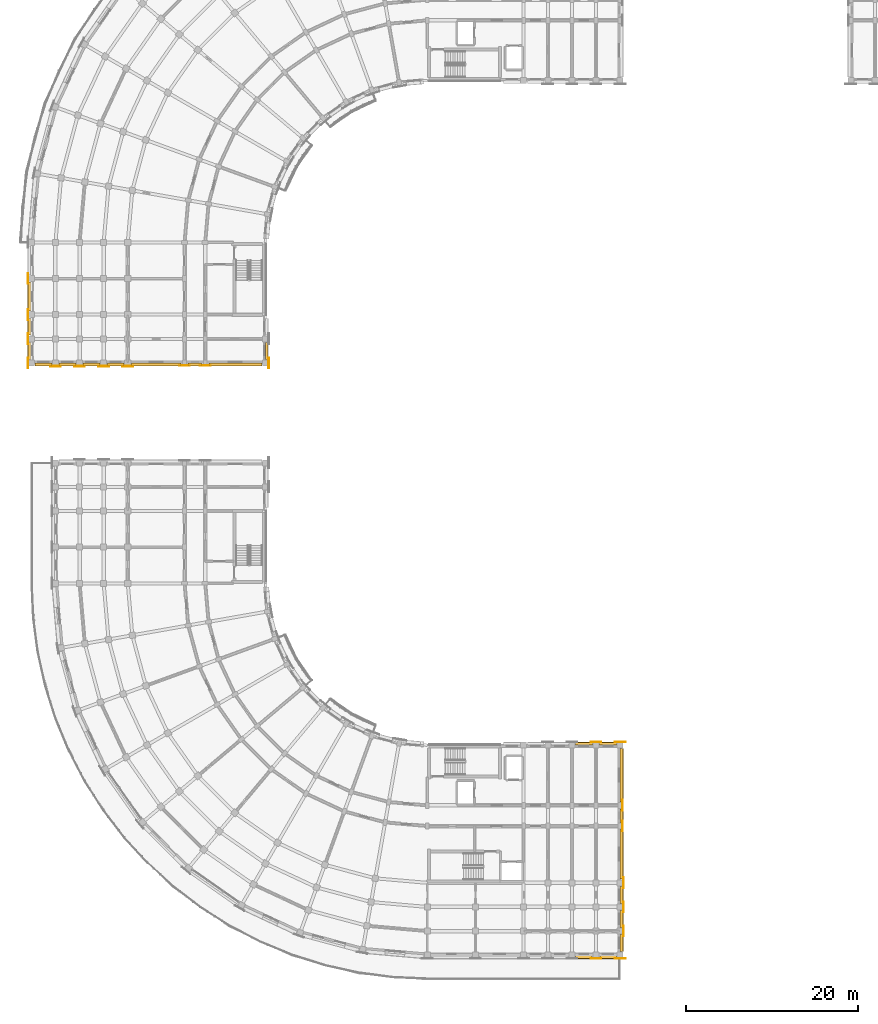
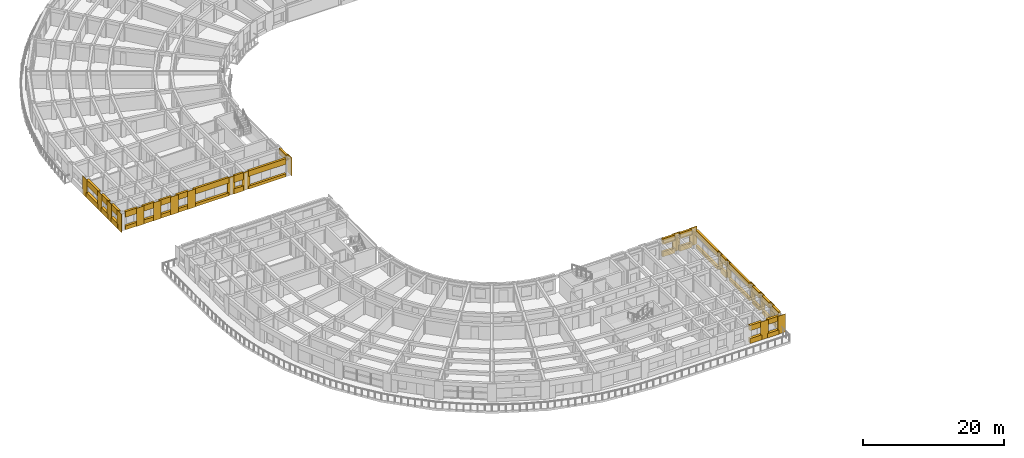
# One storey, part 45 of 57: 61 coverings.
"""IFC4 building model written with IfcOpenShell, lengths in metres."""

from ifc_helpers import new_model, si_unit, direction, frame, origin, place, context, subcontext, project, spatial, polyline, outline, extrude, material, layer, layer_set, type_object, element, save


model = new_model("IFC4")

# Units and contexts
model_context = context("Model", 3, precision=1e-05, world=origin(), true_north=direction((0.0, 1.0)))
body_context = subcontext(model_context, "Body", "Model", "MODEL_VIEW")
ifc_project = project(units=[si_unit("LENGTHUNIT", "METRE"), si_unit("AREAUNIT", "SQUARE_METRE"), si_unit("VOLUMEUNIT", "CUBIC_METRE"), si_unit("PLANEANGLEUNIT", "RADIAN"), si_unit("MASSUNIT", "GRAM", prefix="KILO")], contexts=[model_context])

# Site, building, storey
site_placement = place(None, origin())
site = spatial("IfcSite", under=ifc_project, at=site_placement, CompositionType="ELEMENT")
building_placement = place(site_placement, origin())
building = spatial("IfcBuilding", under=site, at=building_placement, Name="Kiranvali Square Residences", CompositionType="ELEMENT")
storey_placement = place(building_placement, frame((0.0, 0.0, 21.300048828125)))
storey = spatial("IfcBuildingStorey", under=building, at=storey_placement, Name="L06", CompositionType="ELEMENT", Elevation=21.300048828125)

# Coverings
ifc_material = material(Name="Honed Porbandar limestone ashlar facade cladding", Category="masonry")
ifc_layer_1 = layer(ifc_material, 0.06494140625)
ifc_layer_set_1 = layer_set([ifc_layer_1], Name="Honed Porbandar limestone ashlar facade cladding")
covering_type_1 = type_object("IfcCoveringType", Name="COV-CLAD-PIER", PredefinedType="CLADDING", material=ifc_layer_set_1)
covering_1_placement = place(storey_placement, frame((0.0, 0.0, 0.0048828125)))
element("IfcCovering", 1, at=covering_1_placement, inside=storey, type_object=covering_type_1, Name="L06 Classical limestone pilaster casing CLAD-PR-A-L06-V42", PredefinedType="CLADDING", context=body_context, shape_type="SweptSolid", body=[
    extrude(outline(polyline([(1.781982421875, 84.22998046875), (1.781982421875, 82.969970703125), (1.849609375, 82.969970703125), (1.849609375, 84.22998046875), (1.781982421875, 84.22998046875)])), origin(), (0.0, 0.0, 1.0), 3.14013671875),
])
covering_2_placement = place(storey_placement, frame((0.0, 0.0, 0.0048828125)))
element("IfcCovering", 2, at=covering_2_placement, inside=storey, type_object=covering_type_1, Name="L06 Classical limestone pilaster casing CLAD-PR-A-L06-V84", PredefinedType="CLADDING", context=body_context, shape_type="SweptSolid", body=[
    extrude(outline(polyline([(1.781982421875, 80.030029296875), (1.781982421875, 78.77001953125), (1.849609375, 78.77001953125), (1.849609375, 80.030029296875), (1.781982421875, 80.030029296875)])), origin(), (0.0, 0.0, 1.0), 3.14013671875),
])
covering_3_placement = place(storey_placement, frame((0.0, 0.0, 0.0048828125)))
element("IfcCovering", 3, at=covering_3_placement, inside=storey, type_object=covering_type_1, Name="L06 Classical limestone pilaster casing CLAD-PR-A-L06-V112", PredefinedType="CLADDING", context=body_context, shape_type="SweptSolid", body=[
    extrude(outline(polyline([(1.781982421875, 77.22998046875), (1.781982421875, 75.969970703125), (1.849609375, 75.969970703125), (1.849609375, 77.22998046875), (1.781982421875, 77.22998046875)])), origin(), (0.0, 0.0, 1.0), 3.14013671875),
])
covering_4_placement = place(storey_placement, frame((0.0, 0.0, 0.0048828125)))
element("IfcCovering", 4, at=covering_4_placement, inside=storey, type_object=covering_type_1, Name="L06 Classical limestone pilaster casing CLAD-PR-A-L06-V140", PredefinedType="CLADDING", context=body_context, shape_type="SweptSolid", body=[
    extrude(outline(polyline([(1.781982421875, 74.429931640625), (1.781982421875, 73.169921875), (1.849609375, 73.169921875), (1.849609375, 74.429931640625), (1.781982421875, 74.429931640625)])), origin(), (0.0, 0.0, 1.0), 3.14013671875),
])
covering_5_placement = place(storey_placement, frame((0.0, 0.0, 0.0048828125)))
element("IfcCovering", 5, at=covering_5_placement, inside=storey, type_object=covering_type_1, Name="L06 Classical limestone pilaster casing CLAD-PR-C-L06-U195", PredefinedType="CLADDING", context=body_context, shape_type="SweptSolid", body=[
    extrude(outline(polyline([(67.169921875, 4.58203125), (68.429931640625, 4.58203125), (68.429931640625, 4.6494140625), (67.169921875, 4.6494140625), (67.169921875, 4.58203125)])), origin(), (0.0, 0.0, 1.0), 3.14013671875),
])
covering_6_placement = place(storey_placement, frame((0.0, 0.0, 0.0048828125)))
element("IfcCovering", 6, at=covering_6_placement, inside=storey, type_object=covering_type_1, Name="L06 Classical limestone pilaster casing CLAD-PR-C-L06-U224", PredefinedType="CLADDING", context=body_context, shape_type="SweptSolid", body=[
    extrude(outline(polyline([(69.969970703125, 4.58203125), (71.22998046875, 4.58203125), (71.22998046875, 4.6494140625), (69.969970703125, 4.6494140625), (69.969970703125, 4.58203125)])), origin(), (0.0, 0.0, 1.0), 3.14013671875),
])
ifc_layer_2 = layer(ifc_material, 0.050048828125)
ifc_layer_set_2 = layer_set([ifc_layer_2], Name="Honed Porbandar limestone ashlar facade cladding")
covering_type_2 = type_object("IfcCoveringType", Name="COV-CLAD-PIER-IN", PredefinedType="CLADDING", material=ifc_layer_set_2)
covering_7_placement = place(storey_placement, frame((0.0, 0.0, 0.0048828125)))
element("IfcCovering", 7, at=covering_7_placement, inside=storey, type_object=covering_type_2, Name="L06 Classical limestone pilaster casing CLAD-PRA2I-A-L06-V140", PredefinedType="CLADDING", context=body_context, shape_type="SweptSolid", body=[
    extrude(outline(polyline([(29.75048828125, 74.429931640625), (29.75048828125, 73.169921875), (29.818115234375, 73.169921875), (29.818115234375, 74.429931640625), (29.75048828125, 74.429931640625)])), origin(), (0.0, 0.0, 1.0), 3.14013671875),
])
covering_8_placement = place(storey_placement, frame((0.0, 0.0, 0.0048828125)))
element("IfcCovering", 8, at=covering_8_placement, inside=storey, type_object=covering_type_2, Name="L06 Classical limestone pilaster casing CLAD-PRA1I-C-L06-U195", PredefinedType="CLADDING", context=body_context, shape_type="SweptSolid", body=[
    extrude(outline(polyline([(67.169921875, 29.75048828125), (68.429931640625, 29.75048828125), (68.429931640625, 29.818115234375), (67.169921875, 29.818115234375), (67.169921875, 29.75048828125)])), origin(), (0.0, 0.0, 1.0), 3.14013671875),
])
covering_9_placement = place(storey_placement, frame((0.0, 0.0, 0.0048828125)))
element("IfcCovering", 9, at=covering_9_placement, inside=storey, type_object=covering_type_2, Name="L06 Classical limestone pilaster casing CLAD-PRA1I-C-L06-U224", PredefinedType="CLADDING", context=body_context, shape_type="SweptSolid", body=[
    extrude(outline(polyline([(69.969970703125, 29.75048828125), (71.22998046875, 29.75048828125), (71.22998046875, 29.818115234375), (69.969970703125, 29.818115234375), (69.969970703125, 29.75048828125)])), origin(), (0.0, 0.0, 1.0), 3.14013671875),
])
ifc_layer_3 = layer(ifc_material, 0.054931640625)
ifc_layer_set_3 = layer_set([ifc_layer_3], Name="Honed Porbandar limestone ashlar facade cladding")
covering_type_3 = type_object("IfcCoveringType", Name="COV-CLAD-PIER-UP", PredefinedType="CLADDING", material=ifc_layer_set_3)
covering_10_placement = place(storey_placement, frame((0.0, 0.0, 0.0048828125)))
element("IfcCovering", 10, at=covering_10_placement, inside=storey, type_object=covering_type_3, Name="L06 Classical limestone pilaster casing CLAD-PRA2E-A-L06-R258", PredefinedType="CLADDING", context=body_context, shape_type="SweptSolid", body=[
    extrude(outline(polyline([(23.030029296875, 73.549560546875), (21.77001953125, 73.549560546875), (21.77001953125, 73.48193359375), (23.030029296875, 73.48193359375), (23.030029296875, 73.549560546875)])), origin(), (0.0, 0.0, 1.0), 3.14013671875),
])
covering_11_placement = place(storey_placement, frame((0.0, 0.0, 0.0048828125)))
element("IfcCovering", 11, at=covering_11_placement, inside=storey, type_object=covering_type_3, Name="L06 Classical limestone pilaster casing CLAD-PRA2E-A-L06-R282", PredefinedType="CLADDING", context=body_context, shape_type="SweptSolid", body=[
    extrude(outline(polyline([(20.6298828125, 73.549560546875), (19.3701171875, 73.549560546875), (19.3701171875, 73.48193359375), (20.6298828125, 73.48193359375), (20.6298828125, 73.549560546875)])), origin(), (0.0, 0.0, 1.0), 3.14013671875),
])
covering_12_placement = place(storey_placement, frame((0.0, 0.0, 0.0048828125)))
element("IfcCovering", 12, at=covering_12_placement, inside=storey, type_object=covering_type_3, Name="L06 Classical limestone pilaster casing CLAD-PRA2E-A-L06-R348", PredefinedType="CLADDING", context=body_context, shape_type="SweptSolid", body=[
    extrude(outline(polyline([(14.030029296875, 73.449462890625), (12.77001953125, 73.449462890625), (12.77001953125, 73.382080078125), (14.030029296875, 73.382080078125), (14.030029296875, 73.449462890625)])), origin(), (0.0, 0.0, 1.0), 3.14013671875),
])
covering_13_placement = place(storey_placement, frame((0.0, 0.0, 0.0048828125)))
element("IfcCovering", 13, at=covering_13_placement, inside=storey, type_object=covering_type_3, Name="L06 Classical limestone pilaster casing CLAD-PRA2E-A-L06-R376", PredefinedType="CLADDING", context=body_context, shape_type="SweptSolid", body=[
    extrude(outline(polyline([(11.22998046875, 73.449462890625), (9.969970703125, 73.449462890625), (9.969970703125, 73.382080078125), (11.22998046875, 73.382080078125), (11.22998046875, 73.449462890625)])), origin(), (0.0, 0.0, 1.0), 3.14013671875),
])
covering_14_placement = place(storey_placement, frame((0.0, 0.0, 0.0048828125)))
element("IfcCovering", 14, at=covering_14_placement, inside=storey, type_object=covering_type_3, Name="L06 Classical limestone pilaster casing CLAD-PRA2E-A-L06-R404", PredefinedType="CLADDING", context=body_context, shape_type="SweptSolid", body=[
    extrude(outline(polyline([(8.429931640625, 73.449462890625), (7.169921875, 73.449462890625), (7.169921875, 73.382080078125), (8.429931640625, 73.382080078125), (8.429931640625, 73.449462890625)])), origin(), (0.0, 0.0, 1.0), 3.14013671875),
])
covering_15_placement = place(storey_placement, frame((0.0, 0.0, 0.0048828125)))
element("IfcCovering", 15, at=covering_15_placement, inside=storey, type_object=covering_type_3, Name="L06 Classical limestone pilaster casing CLAD-PRA2E-A-L06-R432", PredefinedType="CLADDING", context=body_context, shape_type="SweptSolid", body=[
    extrude(outline(polyline([(5.6298828125, 73.449462890625), (4.3701171875, 73.449462890625), (4.3701171875, 73.382080078125), (5.6298828125, 73.382080078125), (5.6298828125, 73.449462890625)])), origin(), (0.0, 0.0, 1.0), 3.14013671875),
])
covering_16_placement = place(storey_placement, frame((0.0, 0.0, 0.0048828125)))
element("IfcCovering", 16, at=covering_16_placement, inside=storey, type_object=covering_type_3, Name="L06 Classical limestone pilaster casing CLAD-PRA1E-C-L06-R258", PredefinedType="CLADDING", context=body_context, shape_type="SweptSolid", body=[
    extrude(outline(polyline([(70.8505859375, 23.030029296875), (70.8505859375, 21.77001953125), (70.91796875, 21.77001953125), (70.91796875, 23.030029296875), (70.8505859375, 23.030029296875)])), origin(), (0.0, 0.0, 1.0), 3.14013671875),
])
covering_17_placement = place(storey_placement, frame((0.0, 0.0, 0.0048828125)))
element("IfcCovering", 17, at=covering_17_placement, inside=storey, type_object=covering_type_3, Name="L06 Classical limestone pilaster casing CLAD-PRA1E-C-L06-R282", PredefinedType="CLADDING", context=body_context, shape_type="SweptSolid", body=[
    extrude(outline(polyline([(70.8505859375, 20.6298828125), (70.8505859375, 19.3701171875), (70.91796875, 19.3701171875), (70.91796875, 20.6298828125), (70.8505859375, 20.6298828125)])), origin(), (0.0, 0.0, 1.0), 3.14013671875),
])
covering_18_placement = place(storey_placement, frame((0.0, 0.0, 0.0048828125)))
element("IfcCovering", 18, at=covering_18_placement, inside=storey, type_object=covering_type_3, Name="L06 Classical limestone pilaster casing CLAD-PRA1E-C-L06-R348", PredefinedType="CLADDING", context=body_context, shape_type="SweptSolid", body=[
    extrude(outline(polyline([(70.950439453125, 14.030029296875), (70.950439453125, 12.77001953125), (71.01806640625, 12.77001953125), (71.01806640625, 14.030029296875), (70.950439453125, 14.030029296875)])), origin(), (0.0, 0.0, 1.0), 3.14013671875),
])
covering_19_placement = place(storey_placement, frame((0.0, 0.0, 0.0048828125)))
element("IfcCovering", 19, at=covering_19_placement, inside=storey, type_object=covering_type_3, Name="L06 Classical limestone pilaster casing CLAD-PRA1E-C-L06-R376", PredefinedType="CLADDING", context=body_context, shape_type="SweptSolid", body=[
    extrude(outline(polyline([(70.950439453125, 11.22998046875), (70.950439453125, 9.969970703125), (71.01806640625, 9.969970703125), (71.01806640625, 11.22998046875), (70.950439453125, 11.22998046875)])), origin(), (0.0, 0.0, 1.0), 3.14013671875),
])
covering_20_placement = place(storey_placement, frame((0.0, 0.0, 0.0048828125)))
element("IfcCovering", 20, at=covering_20_placement, inside=storey, type_object=covering_type_3, Name="L06 Classical limestone pilaster casing CLAD-PRA1E-C-L06-R404", PredefinedType="CLADDING", context=body_context, shape_type="SweptSolid", body=[
    extrude(outline(polyline([(70.950439453125, 8.429931640625), (70.950439453125, 7.169921875), (71.01806640625, 7.169921875), (71.01806640625, 8.429931640625), (70.950439453125, 8.429931640625)])), origin(), (0.0, 0.0, 1.0), 3.14013671875),
])
ifc_layer_4 = layer(ifc_material, 0.360107421875)
ifc_layer_set_4 = layer_set([ifc_layer_4], Name="Honed Porbandar limestone ashlar facade cladding")
covering_type_4 = type_object("IfcCoveringType", Name="COV-CLAD-WALL", PredefinedType="CLADDING", material=ifc_layer_set_4)
covering_21_placement = place(storey_placement, frame((0.0, 0.0, 2.1298828125)))
element("IfcCovering", 21, at=covering_21_placement, inside=storey, type_object=covering_type_4, Name="L06 light limestone spandrel lintel A-L06-A2O-1", PredefinedType="CLADDING", context=body_context, shape_type="SweptSolid", body=[
    extrude(outline(polyline([(1.800048828125, 83.179931640625), (1.800048828125, 79.820068359375), (2.199462890625, 79.820068359375), (2.199462890625, 83.179931640625), (1.800048828125, 83.179931640625)])), origin(), (0.0, 0.0, 1.0), 1.01513671875),
])
covering_22_placement = place(storey_placement, frame((0.0, 0.0, 0.0048828125)))
element("IfcCovering", 22, at=covering_22_placement, inside=storey, type_object=covering_type_4, Name="L06 limestone window sill apron A-L06-A2O-1", PredefinedType="CLADDING", context=body_context, shape_type="SweptSolid", body=[
    extrude(outline(polyline([(1.77001953125, 83.179931640625), (1.77001953125, 79.820068359375), (2.199462890625, 79.820068359375), (2.199462890625, 83.179931640625), (1.77001953125, 83.179931640625)])), origin(), (0.0, 0.0, 1.0), 0.875),
])
covering_23_placement = place(storey_placement, frame((0.0, 0.0, 2.1298828125)))
element("IfcCovering", 23, at=covering_23_placement, inside=storey, type_object=covering_type_4, Name="L06 light limestone spandrel lintel A-L06-A2O-2", PredefinedType="CLADDING", context=body_context, shape_type="SweptSolid", body=[
    extrude(outline(polyline([(1.800048828125, 78.97998046875), (1.800048828125, 77.02001953125), (2.199462890625, 77.02001953125), (2.199462890625, 78.97998046875), (1.800048828125, 78.97998046875)])), origin(), (0.0, 0.0, 1.0), 1.01513671875),
])
covering_24_placement = place(storey_placement, frame((0.0, 0.0, 0.0048828125)))
element("IfcCovering", 24, at=covering_24_placement, inside=storey, type_object=covering_type_4, Name="L06 limestone window sill apron A-L06-A2O-2", PredefinedType="CLADDING", context=body_context, shape_type="SweptSolid", body=[
    extrude(outline(polyline([(1.77001953125, 78.97998046875), (1.77001953125, 77.02001953125), (2.199462890625, 77.02001953125), (2.199462890625, 78.97998046875), (1.77001953125, 78.97998046875)])), origin(), (0.0, 0.0, 1.0), 0.875),
])
covering_25_placement = place(storey_placement, frame((0.0, 0.0, 2.1298828125)))
element("IfcCovering", 25, at=covering_25_placement, inside=storey, type_object=covering_type_4, Name="L06 light limestone spandrel lintel A-L06-A2O-3", PredefinedType="CLADDING", context=body_context, shape_type="SweptSolid", body=[
    extrude(outline(polyline([(1.800048828125, 76.179931640625), (1.800048828125, 74.219970703125), (2.199462890625, 74.219970703125), (2.199462890625, 76.179931640625), (1.800048828125, 76.179931640625)])), origin(), (0.0, 0.0, 1.0), 1.01513671875),
])
covering_26_placement = place(storey_placement, frame((0.0, 0.0, 0.0048828125)))
element("IfcCovering", 26, at=covering_26_placement, inside=storey, type_object=covering_type_4, Name="L06 limestone window sill apron A-L06-A2O-3", PredefinedType="CLADDING", context=body_context, shape_type="SweptSolid", body=[
    extrude(outline(polyline([(1.77001953125, 76.179931640625), (1.77001953125, 74.219970703125), (2.199462890625, 74.219970703125), (2.199462890625, 76.179931640625), (1.77001953125, 76.179931640625)])), origin(), (0.0, 0.0, 1.0), 0.875),
])
covering_27_placement = place(storey_placement, frame((0.0, 0.0, 2.1298828125)))
element("IfcCovering", 27, at=covering_27_placement, inside=storey, type_object=covering_type_4, Name="L06 light limestone spandrel lintel A-L06-A2I-1", PredefinedType="CLADDING", context=body_context, shape_type="SweptSolid", body=[
    extrude(outline(polyline([(29.400390625, 76.179931640625), (29.400390625, 74.219970703125), (29.719970703125, 74.219970703125), (29.719970703125, 76.179931640625), (29.400390625, 76.179931640625)])), origin(), (0.0, 0.0, 1.0), 1.01513671875),
])
covering_28_placement = place(storey_placement, frame((0.0, 0.0, 2.171875)))
element("IfcCovering", 28, at=covering_28_placement, inside=storey, type_object=covering_type_4, Name="L06 light limestone spandrel lintel A-L06-A2END-0", PredefinedType="CLADDING", context=body_context, shape_type="SweptSolid", body=[
    extrude(outline(polyline([(28.97998046875, 73.799560546875), (22.820068359375, 73.799560546875), (22.820068359375, 73.4599609375), (28.97998046875, 73.4599609375), (28.97998046875, 73.799560546875)])), origin(), (0.0, 0.0, 1.0), 0.97314453125),
])
covering_29_placement = place(storey_placement, frame((0.0, 0.0, 0.0048828125)))
element("IfcCovering", 29, at=covering_29_placement, inside=storey, type_object=covering_type_4, Name="L06 limestone window sill apron A-L06-A2END-0", PredefinedType="CLADDING", context=body_context, shape_type="SweptSolid", body=[
    extrude(outline(polyline([(28.97998046875, 73.799560546875), (22.820068359375, 73.799560546875), (22.820068359375, 73.429931640625), (28.97998046875, 73.429931640625), (28.97998046875, 73.799560546875)])), origin(), (0.0, 0.0, 1.0), 0.51708984375),
])
covering_30_placement = place(storey_placement, frame((0.0, 0.0, 1.929931640625)))
element("IfcCovering", 30, at=covering_30_placement, inside=storey, type_object=covering_type_4, Name="L06 light limestone spandrel lintel A-L06-A2END-1", PredefinedType="CLADDING", context=body_context, shape_type="SweptSolid", body=[
    extrude(outline(polyline([(21.97998046875, 73.799560546875), (20.419921875, 73.799560546875), (20.419921875, 73.4599609375), (21.97998046875, 73.4599609375), (21.97998046875, 73.799560546875)])), origin(), (0.0, 0.0, 1.0), 1.215087890625),
])
covering_31_placement = place(storey_placement, frame((0.0, 0.0, 0.0048828125)))
element("IfcCovering", 31, at=covering_31_placement, inside=storey, type_object=covering_type_4, Name="L06 limestone window sill apron A-L06-A2END-1", PredefinedType="CLADDING", context=body_context, shape_type="SweptSolid", body=[
    extrude(outline(polyline([(21.97998046875, 73.799560546875), (20.419921875, 73.799560546875), (20.419921875, 73.429931640625), (21.97998046875, 73.429931640625), (21.97998046875, 73.799560546875)])), origin(), (0.0, 0.0, 1.0), 0.875),
])
covering_32_placement = place(storey_placement, frame((0.0, 0.0, 2.171875)))
element("IfcCovering", 32, at=covering_32_placement, inside=storey, type_object=covering_type_4, Name="L06 light limestone spandrel lintel A-L06-A2END-2", PredefinedType="CLADDING", context=body_context, shape_type="SweptSolid", body=[
    extrude(outline(polyline([(19.580078125, 73.799560546875), (13.820068359375, 73.799560546875), (13.820068359375, 73.4599609375), (19.580078125, 73.4599609375), (19.580078125, 73.799560546875)])), origin(), (0.0, 0.0, 1.0), 0.97314453125),
])
covering_33_placement = place(storey_placement, frame((0.0, 0.0, 0.0048828125)))
element("IfcCovering", 33, at=covering_33_placement, inside=storey, type_object=covering_type_4, Name="L06 limestone window sill apron A-L06-A2END-2", PredefinedType="CLADDING", context=body_context, shape_type="SweptSolid", body=[
    extrude(outline(polyline([(19.580078125, 73.799560546875), (13.820068359375, 73.799560546875), (13.820068359375, 73.429931640625), (19.580078125, 73.429931640625), (19.580078125, 73.799560546875)])), origin(), (0.0, 0.0, 1.0), 0.51708984375),
])
covering_34_placement = place(storey_placement, frame((0.0, 0.0, 2.171875)))
element("IfcCovering", 34, at=covering_34_placement, inside=storey, type_object=covering_type_4, Name="L06 light limestone spandrel lintel A-L06-A2END-3", PredefinedType="CLADDING", context=body_context, shape_type="SweptSolid", body=[
    extrude(outline(polyline([(12.97998046875, 73.799560546875), (11.02001953125, 73.799560546875), (11.02001953125, 73.4599609375), (12.97998046875, 73.4599609375), (12.97998046875, 73.799560546875)])), origin(), (0.0, 0.0, 1.0), 0.97314453125),
])
covering_35_placement = place(storey_placement, frame((0.0, 0.0, 0.0048828125)))
element("IfcCovering", 35, at=covering_35_placement, inside=storey, type_object=covering_type_4, Name="L06 limestone window sill apron A-L06-A2END-3", PredefinedType="CLADDING", context=body_context, shape_type="SweptSolid", body=[
    extrude(outline(polyline([(12.97998046875, 73.799560546875), (11.02001953125, 73.799560546875), (11.02001953125, 73.429931640625), (12.97998046875, 73.429931640625), (12.97998046875, 73.799560546875)])), origin(), (0.0, 0.0, 1.0), 0.6669921875),
])
covering_36_placement = place(storey_placement, frame((0.0, 0.0, 2.171875)))
element("IfcCovering", 36, at=covering_36_placement, inside=storey, type_object=covering_type_4, Name="L06 light limestone spandrel lintel A-L06-A2END-4", PredefinedType="CLADDING", context=body_context, shape_type="SweptSolid", body=[
    extrude(outline(polyline([(10.179931640625, 73.799560546875), (8.219970703125, 73.799560546875), (8.219970703125, 73.4599609375), (10.179931640625, 73.4599609375), (10.179931640625, 73.799560546875)])), origin(), (0.0, 0.0, 1.0), 0.97314453125),
])
covering_37_placement = place(storey_placement, frame((0.0, 0.0, 0.0048828125)))
element("IfcCovering", 37, at=covering_37_placement, inside=storey, type_object=covering_type_4, Name="L06 limestone window sill apron A-L06-A2END-4", PredefinedType="CLADDING", context=body_context, shape_type="SweptSolid", body=[
    extrude(outline(polyline([(10.179931640625, 73.799560546875), (8.219970703125, 73.799560546875), (8.219970703125, 73.429931640625), (10.179931640625, 73.429931640625), (10.179931640625, 73.799560546875)])), origin(), (0.0, 0.0, 1.0), 0.6669921875),
])
covering_38_placement = place(storey_placement, frame((0.0, 0.0, 2.171875)))
element("IfcCovering", 38, at=covering_38_placement, inside=storey, type_object=covering_type_4, Name="L06 light limestone spandrel lintel A-L06-A2END-5", PredefinedType="CLADDING", context=body_context, shape_type="SweptSolid", body=[
    extrude(outline(polyline([(7.3798828125, 73.799560546875), (5.419921875, 73.799560546875), (5.419921875, 73.4599609375), (7.3798828125, 73.4599609375), (7.3798828125, 73.799560546875)])), origin(), (0.0, 0.0, 1.0), 0.97314453125),
])
covering_39_placement = place(storey_placement, frame((0.0, 0.0, 0.0048828125)))
element("IfcCovering", 39, at=covering_39_placement, inside=storey, type_object=covering_type_4, Name="L06 limestone window sill apron A-L06-A2END-5", PredefinedType="CLADDING", context=body_context, shape_type="SweptSolid", body=[
    extrude(outline(polyline([(7.3798828125, 73.799560546875), (5.419921875, 73.799560546875), (5.419921875, 73.429931640625), (7.3798828125, 73.429931640625), (7.3798828125, 73.799560546875)])), origin(), (0.0, 0.0, 1.0), 0.6669921875),
])
covering_40_placement = place(storey_placement, frame((0.0, 0.0, 2.171875)))
element("IfcCovering", 40, at=covering_40_placement, inside=storey, type_object=covering_type_4, Name="L06 light limestone spandrel lintel A-L06-A2END-6", PredefinedType="CLADDING", context=body_context, shape_type="SweptSolid", body=[
    extrude(outline(polyline([(4.580078125, 73.799560546875), (2.6201171875, 73.799560546875), (2.6201171875, 73.4599609375), (4.580078125, 73.4599609375), (4.580078125, 73.799560546875)])), origin(), (0.0, 0.0, 1.0), 0.97314453125),
])
covering_41_placement = place(storey_placement, frame((0.0, 0.0, 0.0048828125)))
element("IfcCovering", 41, at=covering_41_placement, inside=storey, type_object=covering_type_4, Name="L06 limestone window sill apron A-L06-A2END-6", PredefinedType="CLADDING", context=body_context, shape_type="SweptSolid", body=[
    extrude(outline(polyline([(4.580078125, 73.799560546875), (2.6201171875, 73.799560546875), (2.6201171875, 73.429931640625), (4.580078125, 73.429931640625), (4.580078125, 73.799560546875)])), origin(), (0.0, 0.0, 1.0), 0.6669921875),
])
covering_42_placement = place(storey_placement, frame((0.0, 0.0, 2.22998046875)))
element("IfcCovering", 42, at=covering_42_placement, inside=storey, type_object=covering_type_4, Name="L06 light limestone spandrel lintel C-L06-A1O-4", PredefinedType="CLADDING", context=body_context, shape_type="SweptSolid", body=[
    extrude(outline(polyline([(65.43994140625, 4.60009765625), (67.360107421875, 4.60009765625), (67.360107421875, 4.99951171875), (65.43994140625, 4.99951171875), (65.43994140625, 4.60009765625)])), origin(), (0.0, 0.0, 1.0), 0.9150390625),
])
covering_43_placement = place(storey_placement, frame((0.0, 0.0, 0.0048828125)))
element("IfcCovering", 43, at=covering_43_placement, inside=storey, type_object=covering_type_4, Name="L06 limestone window sill apron C-L06-A1O-4", PredefinedType="CLADDING", context=body_context, shape_type="SweptSolid", body=[
    extrude(outline(polyline([(65.43994140625, 4.570068359375), (67.360107421875, 4.570068359375), (67.360107421875, 4.99951171875), (65.43994140625, 4.99951171875), (65.43994140625, 4.570068359375)])), origin(), (0.0, 0.0, 1.0), 0.875),
])
covering_44_placement = place(storey_placement, frame((0.0, 0.0, 2.280029296875)))
element("IfcCovering", 44, at=covering_44_placement, inside=storey, type_object=covering_type_4, Name="L06 light limestone spandrel lintel C-L06-A1O-5", PredefinedType="CLADDING", context=body_context, shape_type="SweptSolid", body=[
    extrude(outline(polyline([(68.239990234375, 4.60009765625), (70.159912109375, 4.60009765625), (70.159912109375, 4.99951171875), (68.239990234375, 4.99951171875), (68.239990234375, 4.60009765625)])), origin(), (0.0, 0.0, 1.0), 0.864990234375),
])
covering_45_placement = place(storey_placement, frame((0.0, 0.0, 0.0048828125)))
element("IfcCovering", 45, at=covering_45_placement, inside=storey, type_object=covering_type_4, Name="L06 limestone window sill apron C-L06-A1O-5", PredefinedType="CLADDING", context=body_context, shape_type="SweptSolid", body=[
    extrude(outline(polyline([(68.239990234375, 4.570068359375), (70.159912109375, 4.570068359375), (70.159912109375, 4.99951171875), (68.239990234375, 4.99951171875), (68.239990234375, 4.570068359375)])), origin(), (0.0, 0.0, 1.0), 0.775146484375),
])
covering_46_placement = place(storey_placement, frame((0.0, 0.0, 2.1298828125)))
element("IfcCovering", 46, at=covering_46_placement, inside=storey, type_object=covering_type_4, Name="L06 light limestone spandrel lintel C-L06-A1I-2", PredefinedType="CLADDING", context=body_context, shape_type="SweptSolid", body=[
    extrude(outline(polyline([(65.419921875, 29.400390625), (67.3798828125, 29.400390625), (67.3798828125, 29.719970703125), (65.419921875, 29.719970703125), (65.419921875, 29.400390625)])), origin(), (0.0, 0.0, 1.0), 1.01513671875),
])
covering_47_placement = place(storey_placement, frame((0.0, 0.0, 0.0048828125)))
element("IfcCovering", 47, at=covering_47_placement, inside=storey, type_object=covering_type_4, Name="L06 limestone window sill apron C-L06-A1I-2", PredefinedType="CLADDING", context=body_context, shape_type="SweptSolid", body=[
    extrude(outline(polyline([(65.419921875, 29.400390625), (67.3798828125, 29.400390625), (67.3798828125, 29.75), (65.419921875, 29.75), (65.419921875, 29.400390625)])), origin(), (0.0, 0.0, 1.0), 0.875),
])
covering_48_placement = place(storey_placement, frame((0.0, 0.0, 2.1298828125)))
element("IfcCovering", 48, at=covering_48_placement, inside=storey, type_object=covering_type_4, Name="L06 light limestone spandrel lintel C-L06-A1I-3", PredefinedType="CLADDING", context=body_context, shape_type="SweptSolid", body=[
    extrude(outline(polyline([(68.219970703125, 29.400390625), (70.179931640625, 29.400390625), (70.179931640625, 29.719970703125), (68.219970703125, 29.719970703125), (68.219970703125, 29.400390625)])), origin(), (0.0, 0.0, 1.0), 1.01513671875),
])
covering_49_placement = place(storey_placement, frame((0.0, 0.0, 0.0048828125)))
element("IfcCovering", 49, at=covering_49_placement, inside=storey, type_object=covering_type_4, Name="L06 limestone window sill apron C-L06-A1I-3", PredefinedType="CLADDING", context=body_context, shape_type="SweptSolid", body=[
    extrude(outline(polyline([(68.219970703125, 29.400390625), (70.179931640625, 29.400390625), (70.179931640625, 29.75), (68.219970703125, 29.75), (68.219970703125, 29.400390625)])), origin(), (0.0, 0.0, 1.0), 0.875),
])
covering_50_placement = place(storey_placement, frame((0.0, 0.0, 2.171875)))
element("IfcCovering", 50, at=covering_50_placement, inside=storey, type_object=covering_type_4, Name="L06 light limestone spandrel lintel C-L06-A1END-0", PredefinedType="CLADDING", context=body_context, shape_type="SweptSolid", body=[
    extrude(outline(polyline([(70.6005859375, 28.97998046875), (70.6005859375, 22.820068359375), (70.93994140625, 22.820068359375), (70.93994140625, 28.97998046875), (70.6005859375, 28.97998046875)])), origin(), (0.0, 0.0, 1.0), 0.97314453125),
])
covering_51_placement = place(storey_placement, frame((0.0, 0.0, 0.0048828125)))
element("IfcCovering", 51, at=covering_51_placement, inside=storey, type_object=covering_type_4, Name="L06 limestone window sill apron C-L06-A1END-0", PredefinedType="CLADDING", context=body_context, shape_type="SweptSolid", body=[
    extrude(outline(polyline([(70.6005859375, 28.97998046875), (70.6005859375, 22.820068359375), (70.969970703125, 22.820068359375), (70.969970703125, 28.97998046875), (70.6005859375, 28.97998046875)])), origin(), (0.0, 0.0, 1.0), 0.51708984375),
])
covering_52_placement = place(storey_placement, frame((0.0, 0.0, 1.929931640625)))
element("IfcCovering", 52, at=covering_52_placement, inside=storey, type_object=covering_type_4, Name="L06 light limestone spandrel lintel C-L06-A1END-1", PredefinedType="CLADDING", context=body_context, shape_type="SweptSolid", body=[
    extrude(outline(polyline([(70.6005859375, 21.97998046875), (70.6005859375, 20.419921875), (70.93994140625, 20.419921875), (70.93994140625, 21.97998046875), (70.6005859375, 21.97998046875)])), origin(), (0.0, 0.0, 1.0), 1.215087890625),
])
covering_53_placement = place(storey_placement, frame((0.0, 0.0, 0.0048828125)))
element("IfcCovering", 53, at=covering_53_placement, inside=storey, type_object=covering_type_4, Name="L06 limestone window sill apron C-L06-A1END-1", PredefinedType="CLADDING", context=body_context, shape_type="SweptSolid", body=[
    extrude(outline(polyline([(70.6005859375, 21.97998046875), (70.6005859375, 20.419921875), (70.969970703125, 20.419921875), (70.969970703125, 21.97998046875), (70.6005859375, 21.97998046875)])), origin(), (0.0, 0.0, 1.0), 0.875),
])
covering_54_placement = place(storey_placement, frame((0.0, 0.0, 2.171875)))
element("IfcCovering", 54, at=covering_54_placement, inside=storey, type_object=covering_type_4, Name="L06 light limestone spandrel lintel C-L06-A1END-2", PredefinedType="CLADDING", context=body_context, shape_type="SweptSolid", body=[
    extrude(outline(polyline([(70.6005859375, 19.580078125), (70.6005859375, 13.820068359375), (70.93994140625, 13.820068359375), (70.93994140625, 19.580078125), (70.6005859375, 19.580078125)])), origin(), (0.0, 0.0, 1.0), 0.97314453125),
])
covering_55_placement = place(storey_placement, frame((0.0, 0.0, 0.0048828125)))
element("IfcCovering", 55, at=covering_55_placement, inside=storey, type_object=covering_type_4, Name="L06 limestone window sill apron C-L06-A1END-2", PredefinedType="CLADDING", context=body_context, shape_type="SweptSolid", body=[
    extrude(outline(polyline([(70.6005859375, 19.580078125), (70.6005859375, 13.820068359375), (70.969970703125, 13.820068359375), (70.969970703125, 19.580078125), (70.6005859375, 19.580078125)])), origin(), (0.0, 0.0, 1.0), 0.51708984375),
])
covering_56_placement = place(storey_placement, frame((0.0, 0.0, 2.171875)))
element("IfcCovering", 56, at=covering_56_placement, inside=storey, type_object=covering_type_4, Name="L06 light limestone spandrel lintel C-L06-A1END-3", PredefinedType="CLADDING", context=body_context, shape_type="SweptSolid", body=[
    extrude(outline(polyline([(70.6005859375, 12.97998046875), (70.6005859375, 11.02001953125), (70.93994140625, 11.02001953125), (70.93994140625, 12.97998046875), (70.6005859375, 12.97998046875)])), origin(), (0.0, 0.0, 1.0), 0.97314453125),
])
covering_57_placement = place(storey_placement, frame((0.0, 0.0, 0.0048828125)))
element("IfcCovering", 57, at=covering_57_placement, inside=storey, type_object=covering_type_4, Name="L06 limestone window sill apron C-L06-A1END-3", PredefinedType="CLADDING", context=body_context, shape_type="SweptSolid", body=[
    extrude(outline(polyline([(70.6005859375, 12.97998046875), (70.6005859375, 11.02001953125), (70.969970703125, 11.02001953125), (70.969970703125, 12.97998046875), (70.6005859375, 12.97998046875)])), origin(), (0.0, 0.0, 1.0), 0.6669921875),
])
covering_58_placement = place(storey_placement, frame((0.0, 0.0, 2.171875)))
element("IfcCovering", 58, at=covering_58_placement, inside=storey, type_object=covering_type_4, Name="L06 light limestone spandrel lintel C-L06-A1END-4", PredefinedType="CLADDING", context=body_context, shape_type="SweptSolid", body=[
    extrude(outline(polyline([(70.6005859375, 10.179931640625), (70.6005859375, 8.219970703125), (70.93994140625, 8.219970703125), (70.93994140625, 10.179931640625), (70.6005859375, 10.179931640625)])), origin(), (0.0, 0.0, 1.0), 0.97314453125),
])
covering_59_placement = place(storey_placement, frame((0.0, 0.0, 0.0048828125)))
element("IfcCovering", 59, at=covering_59_placement, inside=storey, type_object=covering_type_4, Name="L06 limestone window sill apron C-L06-A1END-4", PredefinedType="CLADDING", context=body_context, shape_type="SweptSolid", body=[
    extrude(outline(polyline([(70.6005859375, 10.179931640625), (70.6005859375, 8.219970703125), (70.969970703125, 8.219970703125), (70.969970703125, 10.179931640625), (70.6005859375, 10.179931640625)])), origin(), (0.0, 0.0, 1.0), 0.6669921875),
])
covering_60_placement = place(storey_placement, frame((0.0, 0.0, 2.2119140625)))
element("IfcCovering", 60, at=covering_60_placement, inside=storey, type_object=covering_type_4, Name="L06 light limestone spandrel lintel C-L06-A1END-5", PredefinedType="CLADDING", context=body_context, shape_type="SweptSolid", body=[
    extrude(outline(polyline([(70.6005859375, 7.3798828125), (70.6005859375, 5.419921875), (70.93994140625, 5.419921875), (70.93994140625, 7.3798828125), (70.6005859375, 7.3798828125)])), origin(), (0.0, 0.0, 1.0), 0.93310546875),
])
covering_61_placement = place(storey_placement, frame((0.0, 0.0, 0.0048828125)))
element("IfcCovering", 61, at=covering_61_placement, inside=storey, type_object=covering_type_4, Name="L06 limestone window sill apron C-L06-A1END-5", PredefinedType="CLADDING", context=body_context, shape_type="SweptSolid", body=[
    extrude(outline(polyline([(70.6005859375, 7.3798828125), (70.6005859375, 5.419921875), (70.969970703125, 5.419921875), (70.969970703125, 7.3798828125), (70.6005859375, 7.3798828125)])), origin(), (0.0, 0.0, 1.0), 0.70703125),
])

save(model, "model.ifc")
